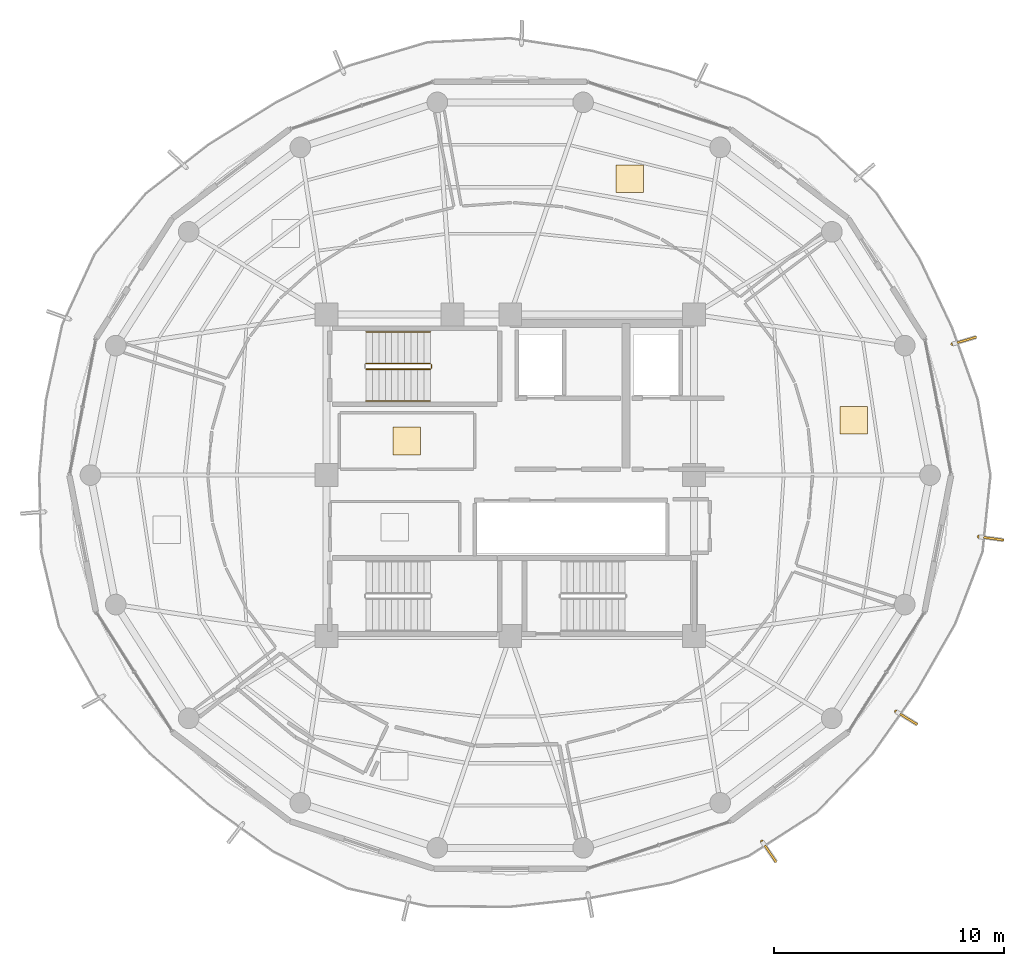
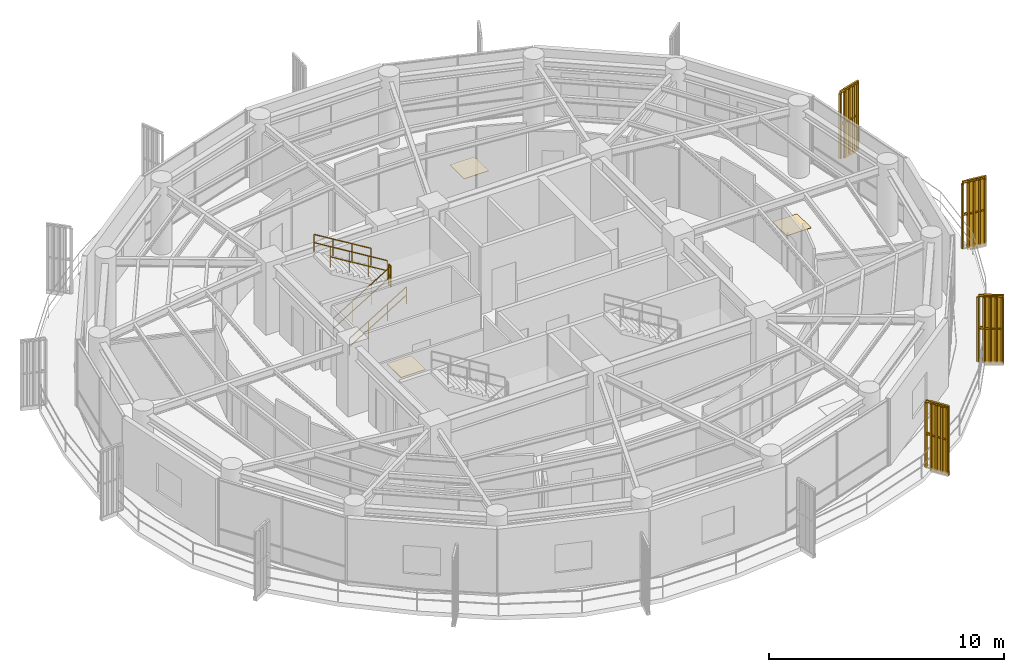
# One storey, part 22 of 23: 9 railings, 4 shading devices, 3 coverings.
"""IFC4 building model written with IfcOpenShell, lengths in metres."""

from ifc_helpers import new_model, si_unit, direction, frame, origin, origin_2d, place, context, subcontext, project, spatial, polyline, rectangle, outline, extrude, source, transform, mapped, material, layer, layer_set, type_object, element, save


model = new_model("IFC4")

# Units and contexts
model_context = context("Model", 3, precision=1e-05, world=origin(), true_north=direction((0.0, 1.0)))
body_context = subcontext(model_context, "Body", "Model", "MODEL_VIEW")
ifc_project = project(units=[si_unit("LENGTHUNIT", "METRE"), si_unit("AREAUNIT", "SQUARE_METRE"), si_unit("VOLUMEUNIT", "CUBIC_METRE"), si_unit("PLANEANGLEUNIT", "RADIAN"), si_unit("MASSUNIT", "GRAM", prefix="KILO")], contexts=[model_context])

# Site, building, storey
site_placement = place(None, origin())
site = spatial("IfcSite", under=ifc_project, at=site_placement, CompositionType="ELEMENT")
building_placement = place(site_placement, origin())
building = spatial("IfcBuilding", under=site, at=building_placement, Name="Kelanora Arch Commons", CompositionType="ELEMENT")
storey_placement = place(building_placement, frame((0.0, 0.0, 286.199951171875)))
storey = spatial("IfcBuildingStorey", under=building, at=storey_placement, Name="L73", CompositionType="ELEMENT", Elevation=286.199951171875)

# Railings
ifc_material_1 = material(Name="Anodised bronze vertical shading fin rib assembly")
railing_type_1 = type_object("IfcRailingType", Name="RAIL-FIN-BRZ", PredefinedType="BALUSTRADE", material=ifc_material_1)
railing_1_placement = place(storey_placement, frame((94.40673828125, 55.313720703125, -0.02001953125)))
element("IfcRailing", 1, at=railing_1_placement, inside=storey, type_object=railing_type_1, Name="Sweeping Bronze Vertical Fin Blade L73-00", PredefinedType="BALUSTRADE", context=body_context, shape_type="SweptSolid", body=[
    extrude(outline(polyline([(0.06982421875, 0.0), (0.034912109375, 0.060546875), (-0.034912109375, 0.060546875), (-0.06982421875, 0.0), (-0.034912109375, -0.060546875), (0.034912109375, -0.060546875), (0.06982421875, 0.0)])), frame((0.0, 0.0, 3.419921875), z_axis=(0.991451855325, -0.130473056883, 0.0), x_axis=(0.130473056883, 0.991451855325, 0.0)), (0.0, 0.0, 1.0), 1.021728515625),
    extrude(outline(polyline([(0.06982421875, 0.0), (0.034912109375, 0.060546875), (-0.034912109375, 0.060546875), (-0.06982421875, 0.0), (-0.034912109375, -0.060546875), (0.034912109375, -0.060546875), (0.06982421875, 0.0)])), frame((0.0, 0.0, 1.7451171875), z_axis=(0.991451855325, -0.130473056883, 0.0), x_axis=(0.130473056883, 0.991451855325, 0.0)), (0.0, 0.0, 1.0), 1.021728515625),
    extrude(outline(polyline([(0.080078125, 0.0), (0.0400390625, 0.0693359375), (-0.0400390625, 0.0693359375), (-0.080078125, 0.0), (-0.0400390625, -0.0693359375), (0.0400390625, -0.0693359375), (0.080078125, 0.0)])), origin(), (0.0, 0.0, 1.0), 3.35009765625),
    extrude(outline(polyline([(0.080078125, 0.0), (0.0400390625, 0.0693359375), (-0.0400390625, 0.0693359375), (-0.080078125, 0.0), (-0.0400390625, -0.0693359375), (0.0400390625, -0.0693359375), (0.080078125, 0.0)])), frame((0.253173828125, -0.033203125, 0.0)), (0.0, 0.0, 1.0), 3.35009765625),
    extrude(outline(polyline([(0.080078125, 0.0), (0.0400390625, 0.0693359375), (-0.0400390625, 0.0693359375), (-0.080078125, 0.0), (-0.0400390625, -0.0693359375), (0.0400390625, -0.0693359375), (0.080078125, 0.0)])), frame((0.50634765625, -0.066650390625, 0.0)), (0.0, 0.0, 1.0), 3.35009765625),
    extrude(outline(polyline([(0.080078125, 0.0), (0.0400390625, 0.0693359375), (-0.0400390625, 0.0693359375), (-0.080078125, 0.0), (-0.0400390625, -0.0693359375), (0.0400390625, -0.0693359375), (0.080078125, 0.0)])), frame((0.759765625, -0.10009765625, 0.0)), (0.0, 0.0, 1.0), 3.35009765625),
    extrude(outline(polyline([(0.080078125, 0.0), (0.0400390625, 0.0693359375), (-0.0400390625, 0.0693359375), (-0.080078125, 0.0), (-0.0400390625, -0.0693359375), (0.0400390625, -0.0693359375), (0.080078125, 0.0)])), frame((1.012939453125, -0.13330078125, 0.0)), (0.0, 0.0, 1.0), 3.35009765625),
])
railing_2_placement = place(storey_placement, frame((93.255615234375, 63.7041015625, -0.02001953125)))
element("IfcRailing", 2, at=railing_2_placement, inside=storey, type_object=railing_type_1, Name="Sweeping Bronze Vertical Fin Blade L73-01", PredefinedType="BALUSTRADE", context=body_context, shape_type="SweptSolid", body=[
    extrude(outline(polyline([(0.06982421875, 0.0), (0.034912109375, 0.060546875), (-0.034912109375, 0.060546875), (-0.06982421875, 0.0), (-0.034912109375, -0.060546875), (0.034912109375, -0.060546875), (0.06982421875, 0.0)])), frame((0.0, 0.0, 3.419921875), z_axis=(0.958781234864, 0.284145286205, 0.0), x_axis=(-0.284145286205, 0.958781234864, 0.0)), (0.0, 0.0, 1.0), 1.021484375),
    extrude(outline(polyline([(0.06982421875, 0.0), (0.034912109375, 0.060546875), (-0.034912109375, 0.060546875), (-0.06982421875, 0.0), (-0.034912109375, -0.060546875), (0.034912109375, -0.060546875), (0.06982421875, 0.0)])), frame((0.0, 0.0, 1.7451171875), z_axis=(0.958781234864, 0.284145286205, 0.0), x_axis=(-0.284145286205, 0.958781234864, 0.0)), (0.0, 0.0, 1.0), 1.021484375),
    extrude(outline(polyline([(0.080078125, 0.0), (0.0400390625, 0.0693359375), (-0.0400390625, 0.0693359375), (-0.080078125, 0.0), (-0.0400390625, -0.0693359375), (0.0400390625, -0.0693359375), (0.080078125, 0.0)])), origin(), (0.0, 0.0, 1.0), 3.35009765625),
    extrude(outline(polyline([(0.080078125, 0.0), (0.0400390625, 0.0693359375), (-0.0400390625, 0.0693359375), (-0.080078125, 0.0), (-0.0400390625, -0.0693359375), (0.0400390625, -0.0693359375), (0.080078125, 0.0)])), frame((0.244873046875, 0.072509765625, 0.0)), (0.0, 0.0, 1.0), 3.35009765625),
    extrude(outline(polyline([(0.080078125, 0.0), (0.0400390625, 0.0693359375), (-0.0400390625, 0.0693359375), (-0.080078125, 0.0), (-0.0400390625, -0.0693359375), (0.0400390625, -0.0693359375), (0.080078125, 0.0)])), frame((0.48974609375, 0.14501953125, 0.0)), (0.0, 0.0, 1.0), 3.35009765625),
    extrude(outline(polyline([(0.080078125, 0.0), (0.0400390625, 0.0693359375), (-0.0400390625, 0.0693359375), (-0.080078125, 0.0), (-0.0400390625, -0.0693359375), (0.0400390625, -0.0693359375), (0.080078125, 0.0)])), frame((0.734619140625, 0.2177734375, 0.0)), (0.0, 0.0, 1.0), 3.35009765625),
    extrude(outline(polyline([(0.080078125, 0.0), (0.0400390625, 0.0693359375), (-0.0400390625, 0.0693359375), (-0.080078125, 0.0), (-0.0400390625, -0.0693359375), (0.0400390625, -0.0693359375), (0.080078125, 0.0)])), frame((0.9794921875, 0.290283203125, 0.0)), (0.0, 0.0, 1.0), 3.35009765625),
])
railing_3_placement = place(storey_placement, frame((84.962890625, 42.0498046875, -0.02001953125)))
element("IfcRailing", 3, at=railing_3_placement, inside=storey, type_object=railing_type_1, Name="Sweeping Bronze Vertical Fin Blade L73-13", PredefinedType="BALUSTRADE", context=body_context, shape_type="SweptSolid", body=[
    extrude(outline(polyline([(0.06982421875, 0.0), (0.034912109375, 0.060546875), (-0.034912109375, 0.060546875), (-0.06982421875, 0.0), (-0.034912109375, -0.060546875), (0.034912109375, -0.060546875), (0.06982421875, 0.0)])), frame((0.0, 0.0, 3.419921875), z_axis=(0.566336117855, -0.824174375731, 0.0), x_axis=(0.824174375731, 0.566336117855, 0.0)), (0.0, 0.0, 1.0), 1.021728515625),
    extrude(outline(polyline([(0.06982421875, 0.0), (0.034912109375, 0.060546875), (-0.034912109375, 0.060546875), (-0.06982421875, 0.0), (-0.034912109375, -0.060546875), (0.034912109375, -0.060546875), (0.06982421875, 0.0)])), frame((0.0, 0.0, 1.7451171875), z_axis=(0.566336117855, -0.824174375731, 0.0), x_axis=(0.824174375731, 0.566336117855, 0.0)), (0.0, 0.0, 1.0), 1.021728515625),
    extrude(outline(polyline([(0.080078125, 0.0), (0.0400390625, 0.0693359375), (-0.0400390625, 0.0693359375), (-0.080078125, 0.0), (-0.0400390625, -0.0693359375), (0.0400390625, -0.0693359375), (0.080078125, 0.0)])), origin(), (0.0, 0.0, 1.0), 3.35009765625),
    extrude(outline(polyline([(0.080078125, 0.0), (0.0400390625, 0.0693359375), (-0.0400390625, 0.0693359375), (-0.080078125, 0.0), (-0.0400390625, -0.0693359375), (0.0400390625, -0.0693359375), (0.080078125, 0.0)])), frame((0.14453125, -0.21044921875, 0.0)), (0.0, 0.0, 1.0), 3.35009765625),
    extrude(outline(polyline([(0.080078125, 0.0), (0.0400390625, 0.0693359375), (-0.0400390625, 0.0693359375), (-0.080078125, 0.0), (-0.0400390625, -0.0693359375), (0.0400390625, -0.0693359375), (0.080078125, 0.0)])), frame((0.289306640625, -0.4208984375, 0.0)), (0.0, 0.0, 1.0), 3.35009765625),
    extrude(outline(polyline([(0.080078125, 0.0), (0.0400390625, 0.0693359375), (-0.0400390625, 0.0693359375), (-0.080078125, 0.0), (-0.0400390625, -0.0693359375), (0.0400390625, -0.0693359375), (0.080078125, 0.0)])), frame((0.43408203125, -0.631591796875, 0.0)), (0.0, 0.0, 1.0), 3.35009765625),
    extrude(outline(polyline([(0.080078125, 0.0), (0.0400390625, 0.0693359375), (-0.0400390625, 0.0693359375), (-0.080078125, 0.0), (-0.0400390625, -0.0693359375), (0.0400390625, -0.0693359375), (0.080078125, 0.0)])), frame((0.57861328125, -0.842041015625, 0.0)), (0.0, 0.0, 1.0), 3.35009765625),
])
railing_4_placement = place(storey_placement, frame((90.79736328125, 47.706787109375, -0.02001953125)))
element("IfcRailing", 4, at=railing_4_placement, inside=storey, type_object=railing_type_1, Name="Sweeping Bronze Vertical Fin Blade L73-14", PredefinedType="BALUSTRADE", context=body_context, shape_type="SweptSolid", body=[
    extrude(outline(polyline([(0.06982421875, 0.0), (0.034912109375, 0.060546875), (-0.034912109375, 0.060546875), (-0.06982421875, 0.0), (-0.034912109375, -0.060546875), (0.034912109375, -0.060546875), (0.06982421875, 0.0)])), frame((0.0, 0.0, 3.419921875), z_axis=(0.852755745118, -0.522309907209, 0.0), x_axis=(0.522309907209, 0.852755745118, 0.0)), (0.0, 0.0, 1.0), 1.021728515625),
    extrude(outline(polyline([(0.06982421875, 0.0), (0.034912109375, 0.060546875), (-0.034912109375, 0.060546875), (-0.06982421875, 0.0), (-0.034912109375, -0.060546875), (0.034912109375, -0.060546875), (0.06982421875, 0.0)])), frame((0.0, 0.0, 1.7451171875), z_axis=(0.852755745118, -0.522309907209, 0.0), x_axis=(0.522309907209, 0.852755745118, 0.0)), (0.0, 0.0, 1.0), 1.021728515625),
    extrude(outline(polyline([(0.080078125, 0.0), (0.0400390625, 0.0693359375), (-0.0400390625, 0.0693359375), (-0.080078125, 0.0), (-0.0400390625, -0.0693359375), (0.0400390625, -0.0693359375), (0.080078125, 0.0)])), origin(), (0.0, 0.0, 1.0), 3.35009765625),
    extrude(outline(polyline([(0.080078125, 0.0), (0.0400390625, 0.0693359375), (-0.0400390625, 0.0693359375), (-0.080078125, 0.0), (-0.0400390625, -0.0693359375), (0.0400390625, -0.0693359375), (0.080078125, 0.0)])), frame((0.2177734375, -0.13330078125, 0.0)), (0.0, 0.0, 1.0), 3.35009765625),
    extrude(outline(polyline([(0.080078125, 0.0), (0.0400390625, 0.0693359375), (-0.0400390625, 0.0693359375), (-0.080078125, 0.0), (-0.0400390625, -0.0693359375), (0.0400390625, -0.0693359375), (0.080078125, 0.0)])), frame((0.435546875, -0.266845703125, 0.0)), (0.0, 0.0, 1.0), 3.35009765625),
    extrude(outline(polyline([(0.080078125, 0.0), (0.0400390625, 0.0693359375), (-0.0400390625, 0.0693359375), (-0.080078125, 0.0), (-0.0400390625, -0.0693359375), (0.0400390625, -0.0693359375), (0.080078125, 0.0)])), frame((0.653564453125, -0.400390625, 0.0)), (0.0, 0.0, 1.0), 3.35009765625),
    extrude(outline(polyline([(0.080078125, 0.0), (0.0400390625, 0.0693359375), (-0.0400390625, 0.0693359375), (-0.080078125, 0.0), (-0.0400390625, -0.0693359375), (0.0400390625, -0.0693359375), (0.080078125, 0.0)])), frame((0.871337890625, -0.53369140625, 0.0)), (0.0, 0.0, 1.0), 3.35009765625),
])
ifc_material_2 = material(Name="Painted steel stair well guard", Category="steel")
railing_type_2 = type_object("IfcRailingType", Name="RAIL-STAIR-GRD", PredefinedType="GUARDRAIL", material=ifc_material_2)
railing_5_placement = place(storey_placement, frame((67.719970703125, 62.610107421875, 0.17041015625)))
element("IfcRailing", 5, at=railing_5_placement, inside=storey, type_object=railing_type_2, Name="L73 ST-T1 stair guard 1", PredefinedType="GUARDRAIL", context=body_context, shape_type="SweptSolid", body=[
    extrude(outline(polyline([(0.02392578125, 0.0), (0.011962890625, 0.020751953125), (-0.011962890625, 0.020751953125), (-0.02392578125, 0.0), (-0.011962890625, -0.020751953125), (0.011962890625, -0.020751953125), (0.02392578125, 0.0)])), frame((0.0, 0.0, 1.076171875), z_axis=(0.854169791009, 0.0, 0.51999420009), x_axis=(0.0, 1.0, 0.0)), (0.0, 0.0, 1.0), 3.278076171875),
    extrude(outline(polyline([(0.02392578125, 0.0), (0.011962890625, 0.020751953125), (-0.011962890625, 0.020751953125), (-0.02392578125, 0.0), (-0.011962890625, -0.020751953125), (0.011962890625, -0.020751953125), (0.02392578125, 0.0)])), frame((0.0, 0.0, 0.550048828125), z_axis=(0.854169791009, 0.0, 0.51999420009), x_axis=(0.0, 1.0, 0.0)), (0.0, 0.0, 1.0), 3.278076171875),
    extrude(outline(polyline([(0.02099609375, 0.0), (0.010498046875, 0.01806640625), (-0.010498046875, 0.01806640625), (-0.02099609375, 0.0), (-0.010498046875, -0.01806640625), (0.010498046875, -0.01806640625), (0.02099609375, 0.0)])), origin(), (0.0, 0.0, 1.0), 1.052001953125),
    extrude(outline(polyline([(0.02099609375, 0.0), (0.010498046875, 0.01806640625), (-0.010498046875, 0.01806640625), (-0.02099609375, 0.0), (-0.010498046875, -0.01806640625), (0.010498046875, -0.01806640625), (0.02099609375, 0.0)])), frame((0.933349609375, 0.0, 0.568115234375)), (0.0, 0.0, 1.0), 1.052001953125),
    extrude(outline(polyline([(0.02099609375, 0.0), (0.010498046875, 0.01806640625), (-0.010498046875, 0.01806640625), (-0.02099609375, 0.0), (-0.010498046875, -0.01806640625), (0.010498046875, -0.01806640625), (0.02099609375, 0.0)])), frame((1.86669921875, 0.0, 1.136474609375)), (0.0, 0.0, 1.0), 1.052001953125),
    extrude(outline(polyline([(0.02099609375, 0.0), (0.010498046875, 0.01806640625), (-0.010498046875, 0.01806640625), (-0.02099609375, 0.0), (-0.010498046875, -0.01806640625), (0.010498046875, -0.01806640625), (0.02099609375, 0.0)])), frame((2.800048828125, 0.0, 1.70458984375)), (0.0, 0.0, 1.0), 1.052001953125),
])
railing_6_placement = place(storey_placement, frame((70.570068359375, 62.659912109375, 1.875)))
element("IfcRailing", 6, at=railing_6_placement, inside=storey, type_object=railing_type_2, Name="L73 ST-T1 stair guard 2", PredefinedType="GUARDRAIL", context=body_context, shape_type="SweptSolid", body=[
    extrude(outline(polyline([(0.02392578125, 0.0), (0.011962890625, 0.020751953125), (-0.011962890625, 0.020751953125), (-0.02392578125, 0.0), (-0.011962890625, -0.020751953125), (0.011962890625, -0.020751953125), (0.02392578125, 0.0)])), frame((0.0, 0.0, 1.076171875), z_axis=(0.0, 1.0, 0.0), x_axis=(-1.0, 0.0, 0.0)), (0.0, 0.0, 1.0), 0.150146484375),
    extrude(outline(polyline([(0.02392578125, 0.0), (0.011962890625, 0.020751953125), (-0.011962890625, 0.020751953125), (-0.02392578125, 0.0), (-0.011962890625, -0.020751953125), (0.011962890625, -0.020751953125), (0.02392578125, 0.0)])), frame((0.0, 0.0, 0.550048828125), z_axis=(0.0, 1.0, 0.0), x_axis=(-1.0, 0.0, 0.0)), (0.0, 0.0, 1.0), 0.150146484375),
    extrude(outline(polyline([(0.02099609375, 0.0), (0.010498046875, 0.01806640625), (-0.010498046875, 0.01806640625), (-0.02099609375, 0.0), (-0.010498046875, -0.01806640625), (0.010498046875, -0.01806640625), (0.02099609375, 0.0)])), origin(), (0.0, 0.0, 1.0), 1.052001953125),
    extrude(outline(polyline([(0.02099609375, 0.0), (0.010498046875, 0.01806640625), (-0.010498046875, 0.01806640625), (-0.02099609375, 0.0), (-0.010498046875, -0.01806640625), (0.010498046875, -0.01806640625), (0.02099609375, 0.0)])), frame((0.0, 0.150146484375, 0.0)), (0.0, 0.0, 1.0), 1.052001953125),
])
railing_7_placement = place(storey_placement, frame((70.52001953125, 62.860107421875, 2.04541015625)))
element("IfcRailing", 7, at=railing_7_placement, inside=storey, type_object=railing_type_2, Name="L73 ST-T1 stair guard 3", PredefinedType="GUARDRAIL", context=body_context, shape_type="SweptSolid", body=[
    extrude(outline(polyline([(0.02392578125, 0.0), (0.011962890625, 0.020751953125), (-0.011962890625, 0.020751953125), (-0.02392578125, 0.0), (-0.011962890625, -0.020751953125), (0.011962890625, -0.020751953125), (0.02392578125, 0.0)])), frame((0.0, 0.0, 1.076171875), z_axis=(-0.854169791009, 0.0, 0.51999420009), x_axis=(0.0, -1.0, 0.0)), (0.0, 0.0, 1.0), 3.278076171875),
    extrude(outline(polyline([(0.02392578125, 0.0), (0.011962890625, 0.020751953125), (-0.011962890625, 0.020751953125), (-0.02392578125, 0.0), (-0.011962890625, -0.020751953125), (0.011962890625, -0.020751953125), (0.02392578125, 0.0)])), frame((0.0, 0.0, 0.550048828125), z_axis=(-0.854169791009, 0.0, 0.51999420009), x_axis=(0.0, -1.0, 0.0)), (0.0, 0.0, 1.0), 3.278076171875),
    extrude(outline(polyline([(0.02099609375, 0.0), (0.010498046875, 0.01806640625), (-0.010498046875, 0.01806640625), (-0.02099609375, 0.0), (-0.010498046875, -0.01806640625), (0.010498046875, -0.01806640625), (0.02099609375, 0.0)])), origin(), (0.0, 0.0, 1.0), 1.052001953125),
    extrude(outline(polyline([(0.02099609375, 0.0), (0.010498046875, 0.01806640625), (-0.010498046875, 0.01806640625), (-0.02099609375, 0.0), (-0.010498046875, -0.01806640625), (0.010498046875, -0.01806640625), (0.02099609375, 0.0)])), frame((-0.933349609375, 0.0, 0.568115234375)), (0.0, 0.0, 1.0), 1.052001953125),
    extrude(outline(polyline([(0.02099609375, 0.0), (0.010498046875, 0.01806640625), (-0.010498046875, 0.01806640625), (-0.02099609375, 0.0), (-0.010498046875, -0.01806640625), (0.010498046875, -0.01806640625), (0.02099609375, 0.0)])), frame((-1.86669921875, 0.0, 1.136474609375)), (0.0, 0.0, 1.0), 1.052001953125),
    extrude(outline(polyline([(0.02099609375, 0.0), (0.010498046875, 0.01806640625), (-0.010498046875, 0.01806640625), (-0.02099609375, 0.0), (-0.010498046875, -0.01806640625), (0.010498046875, -0.01806640625), (0.02099609375, 0.0)])), frame((-2.800048828125, 0.0, 1.70458984375)), (0.0, 0.0, 1.0), 1.052001953125),
])
ifc_material_3 = material(Name="Brushed stainless steel stair handrail", Category="steel")
railing_type_3 = type_object("IfcRailingType", Name="RAIL-STAIR-HND", PredefinedType="HANDRAIL", material=ifc_material_3)
railing_8_placement = place(storey_placement, frame((67.719970703125, 61.22998046875, 0.17041015625)))
element("IfcRailing", 8, at=railing_8_placement, inside=storey, type_object=railing_type_3, Name="L73 ST-T1 stair handrail 1", PredefinedType="HANDRAIL", context=body_context, shape_type="SweptSolid", body=[
    extrude(outline(polyline([(0.02392578125, 0.0), (0.011962890625, 0.020751953125), (-0.011962890625, 0.020751953125), (-0.02392578125, 0.0), (-0.011962890625, -0.020751953125), (0.011962890625, -0.020751953125), (0.02392578125, 0.0)])), frame((0.0, 0.0, 0.8759765625), z_axis=(0.854169791009, 0.0, 0.51999420009), x_axis=(0.0, 1.0, 0.0)), (0.0, 0.0, 1.0), 3.278076171875),
    extrude(outline(polyline([(0.02392578125, 0.0), (0.011962890625, 0.020751953125), (-0.011962890625, 0.020751953125), (-0.02392578125, 0.0), (-0.011962890625, -0.020751953125), (0.011962890625, -0.020751953125), (0.02392578125, 0.0)])), frame((0.0, 0.0, 0.449951171875), z_axis=(0.854169791009, 0.0, 0.51999420009), x_axis=(0.0, 1.0, 0.0)), (0.0, 0.0, 1.0), 3.278076171875),
    extrude(outline(polyline([(0.02099609375, 0.0), (0.010498046875, 0.01806640625), (-0.010498046875, 0.01806640625), (-0.02099609375, 0.0), (-0.010498046875, -0.01806640625), (0.010498046875, -0.01806640625), (0.02099609375, 0.0)])), origin(), (0.0, 0.0, 1.0), 0.851806640625),
    extrude(outline(polyline([(0.02099609375, 0.0), (0.010498046875, 0.01806640625), (-0.010498046875, 0.01806640625), (-0.02099609375, 0.0), (-0.010498046875, -0.01806640625), (0.010498046875, -0.01806640625), (0.02099609375, 0.0)])), frame((0.933349609375, 0.0, 0.568115234375)), (0.0, 0.0, 1.0), 0.851806640625),
    extrude(outline(polyline([(0.02099609375, 0.0), (0.010498046875, 0.01806640625), (-0.010498046875, 0.01806640625), (-0.02099609375, 0.0), (-0.010498046875, -0.01806640625), (0.010498046875, -0.01806640625), (0.02099609375, 0.0)])), frame((1.86669921875, 0.0, 1.136474609375)), (0.0, 0.0, 1.0), 0.851806640625),
    extrude(outline(polyline([(0.02099609375, 0.0), (0.010498046875, 0.01806640625), (-0.010498046875, 0.01806640625), (-0.02099609375, 0.0), (-0.010498046875, -0.01806640625), (0.010498046875, -0.01806640625), (0.02099609375, 0.0)])), frame((2.800048828125, 0.0, 1.70458984375)), (0.0, 0.0, 1.0), 0.851806640625),
])
railing_9_placement = place(storey_placement, frame((70.52001953125, 64.239990234375, 2.04541015625)))
element("IfcRailing", 9, at=railing_9_placement, inside=storey, type_object=railing_type_3, Name="L73 ST-T1 stair handrail 2", PredefinedType="HANDRAIL", context=body_context, shape_type="SweptSolid", body=[
    extrude(outline(polyline([(0.02392578125, 0.0), (0.011962890625, 0.020751953125), (-0.011962890625, 0.020751953125), (-0.02392578125, 0.0), (-0.011962890625, -0.020751953125), (0.011962890625, -0.020751953125), (0.02392578125, 0.0)])), frame((0.0, 0.0, 0.8759765625), z_axis=(-0.854169791009, 0.0, 0.51999420009), x_axis=(0.0, -1.0, 0.0)), (0.0, 0.0, 1.0), 3.278076171875),
    extrude(outline(polyline([(0.02392578125, 0.0), (0.011962890625, 0.020751953125), (-0.011962890625, 0.020751953125), (-0.02392578125, 0.0), (-0.011962890625, -0.020751953125), (0.011962890625, -0.020751953125), (0.02392578125, 0.0)])), frame((0.0, 0.0, 0.449951171875), z_axis=(-0.854169791009, 0.0, 0.51999420009), x_axis=(0.0, -1.0, 0.0)), (0.0, 0.0, 1.0), 3.278076171875),
    extrude(outline(polyline([(0.02099609375, 0.0), (0.010498046875, 0.01806640625), (-0.010498046875, 0.01806640625), (-0.02099609375, 0.0), (-0.010498046875, -0.01806640625), (0.010498046875, -0.01806640625), (0.02099609375, 0.0)])), origin(), (0.0, 0.0, 1.0), 0.851806640625),
    extrude(outline(polyline([(0.02099609375, 0.0), (0.010498046875, 0.01806640625), (-0.010498046875, 0.01806640625), (-0.02099609375, 0.0), (-0.010498046875, -0.01806640625), (0.010498046875, -0.01806640625), (0.02099609375, 0.0)])), frame((-0.933349609375, 0.0, 0.568115234375)), (0.0, 0.0, 1.0), 0.851806640625),
    extrude(outline(polyline([(0.02099609375, 0.0), (0.010498046875, 0.01806640625), (-0.010498046875, 0.01806640625), (-0.02099609375, 0.0), (-0.010498046875, -0.01806640625), (0.010498046875, -0.01806640625), (0.02099609375, 0.0)])), frame((-1.86669921875, 0.0, 1.136474609375)), (0.0, 0.0, 1.0), 0.851806640625),
    extrude(outline(polyline([(0.02099609375, 0.0), (0.010498046875, 0.01806640625), (-0.010498046875, 0.01806640625), (-0.02099609375, 0.0), (-0.010498046875, -0.01806640625), (0.010498046875, -0.01806640625), (0.02099609375, 0.0)])), frame((-2.800048828125, 0.0, 1.70458984375)), (0.0, 0.0, 1.0), 0.851806640625),
])

# Shading devices
ifc_material_4 = material(Name="Terracotta ceramic-clad extruded aluminium fin", Category="masonry")
shading_device_type = type_object("IfcShadingDeviceType", Name="SHD-FIN-FLARE", PredefinedType="USERDEFINED", material=ifc_material_4)
shared_shape_1 = source(origin(), body_context, "Body", "SweptSolid", [
    extrude(rectangle(XDim=0.8798828125, YDim=0.090087890625, at=origin_2d()), origin(), (0.0, 0.0, 1.0), 3.610107421875),
])
for number, where, z_axis, x_axis, name in (
    (10, (95.052001953125, 55.228759765625, -0.14013671875), (0.0, 0.0, 1.0), (0.991444861374, -0.13052619222, 0.0), "Sweeping Terracotta Fin L73-00"),
    (11, (93.879638671875, 63.888916015625, -0.14013671875), (0.0, 0.0, 1.0), (0.958819734868, 0.284015344704, 0.0), "Sweeping Terracotta Fin L73-01"),
    (12, (85.331298828125, 41.51318359375, -0.14013671875), (0.0, 0.0, 1.0), (0.566406236925, -0.824126188622, 0.0), "Sweeping Terracotta Fin L73-13"),
    (13, (91.352294921875, 47.366943359375, -0.14013671875), (0.0, 0.0, 1.0), (0.852640164354, -0.522498564716, 0.0), "Sweeping Terracotta Fin L73-14"),
):
    element("IfcShadingDevice", number, at=place(storey_placement, frame(where, z_axis=z_axis, x_axis=x_axis)), inside=storey, type_object=shading_device_type, Name=name, ObjectType="FIN", PredefinedType="USERDEFINED", context=body_context, shape_type="MappedRepresentation", body=[
        mapped(shared_shape_1, transform((0.0, 0.0, 0.0), scale=1.0)),
    ])

# Coverings
ifc_material_5 = material(Name="Polished local granite terrazzo flooring", Category="masonry")
ifc_layer = layer(ifc_material_5, 0.030029296875)
ifc_layer_set = layer_set([ifc_layer], Name="Polished local granite terrazzo flooring")
covering_type = type_object("IfcCoveringType", Name="COV-FLR-TER", PredefinedType="FLOORING", material=ifc_layer_set)
shared_shape_2 = source(origin(), body_context, "Body", "SweptSolid", [
    extrude(rectangle(XDim=1.199951171875, YDim=1.199951171875, at=origin_2d()), origin(), (0.0, 0.0, 1.0), 0.030029296875),
])
for number, where, z_axis, x_axis, name in (
    (14, (69.5, 59.485107421875, 0.0), (0.0, 0.0, 1.0), (1.0, 0.0, 0.0), "Reclaimed Core Study Pod Lounge L73 Terrazzo Finish"),
    (15, (88.96337890625, 60.384521484375, 0.0), (0.0, 0.0, 1.0), (1.0, 0.0, 0.0), "Communal Dining and Social Hall L73-05 Terrazzo Finish"),
    (16, (79.19677734375, 70.904541015625, 0.0), (0.0, 0.0, 1.0), (1.0, 0.0, 0.0), "Social Sky Lounge L73-06 Terrazzo Finish"),
):
    element("IfcCovering", number, at=place(storey_placement, frame(where, z_axis=z_axis, x_axis=x_axis)), inside=storey, type_object=covering_type, Name=name, PredefinedType="FLOORING", context=body_context, shape_type="MappedRepresentation", body=[
        mapped(shared_shape_2, transform((0.0, 0.0, 0.0), scale=1.0)),
    ])

save(model, "model.ifc")
